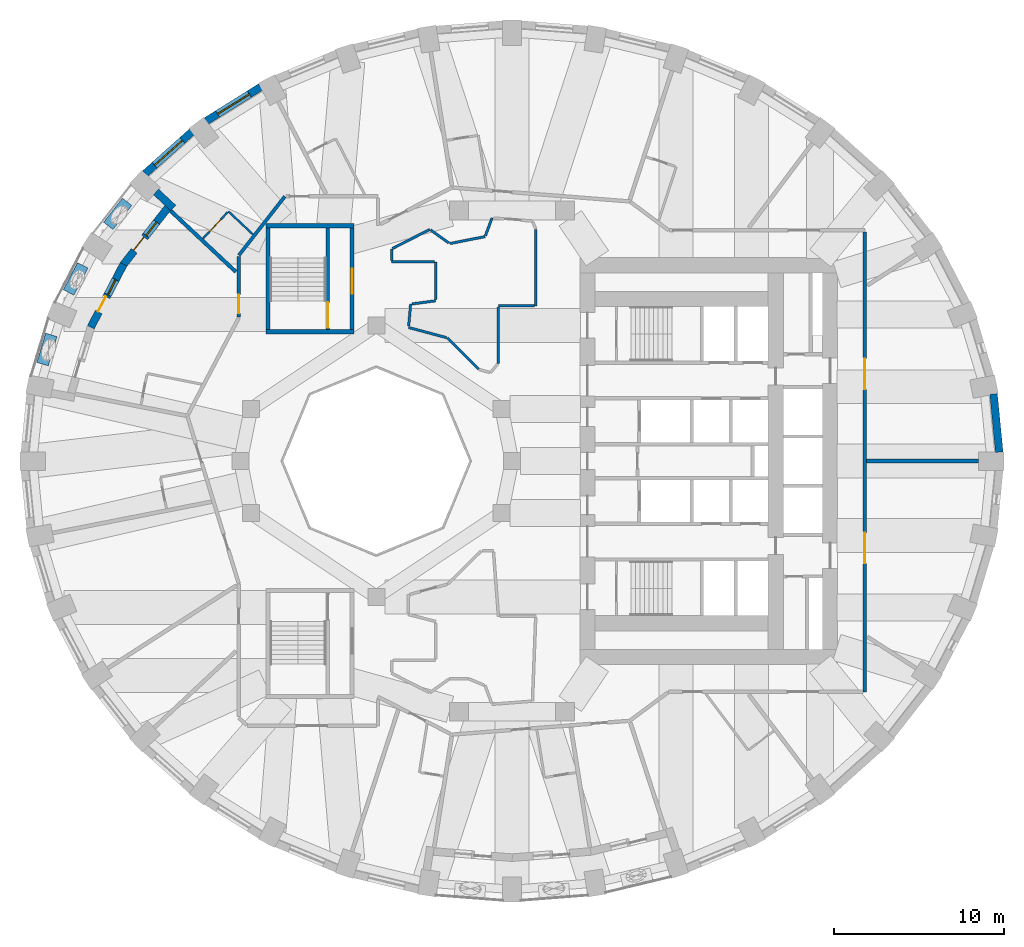
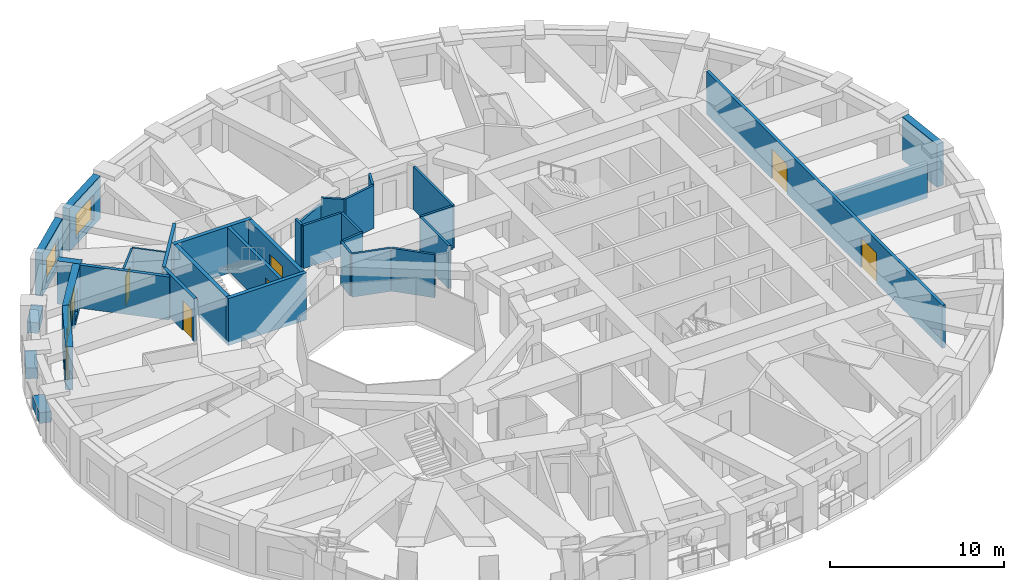
# One storey, part 7 of 13: 35 walls, 8 doors, 4 windows, 12 openings.
"""IFC4 building model written with IfcOpenShell, lengths in metres."""

import ifcopenshell
import ifcopenshell.guid

model = None  # the IFC model being written
_history = None  # IfcOwnerHistory: only IFC2X3 demands one
_inside = {}  # id of a spatial element -> (the spatial element, [elements in it])
_under = {}  # id of a project, library or spatial element -> (it, [spatial elements below it])
_declared = {}  # id of a project -> (the project, [libraries it declares])
_typed = {}  # id of a type object -> (the type object, [elements of that type])
_made_of = {}  # id of a material, layer set ... -> (it, [elements and type objects made of it])


def new_model(schema):
    """Start an empty IFC model of exactly this schema.

    Asked for "IFC4X3", IfcOpenShell would pick the latest addendum, in which some entities
    have other attributes; the version numbers below select the first issue.
    IFC2X3 requires an IfcOwnerHistory on every rooted entity: one is made here for all.
    """
    global model, _history
    if schema == "IFC4X3":
        model = ifcopenshell.file(schema_version=(4, 3, 0, 0))
    else:
        model = ifcopenshell.file(schema=schema)
    _inside.clear()
    _under.clear()
    _declared.clear()
    _typed.clear()
    _made_of.clear()
    _history = None
    if model.schema == "IFC2X3":
        org = make("IfcOrganization", Name="unknown")
        user = make(
            "IfcPersonAndOrganization",
            ThePerson=make("IfcPerson", FamilyName="unknown"),
            TheOrganization=org,
        )
        app = make(
            "IfcApplication",
            ApplicationDeveloper=org,
            Version="unknown",
            ApplicationFullName="unknown",
            ApplicationIdentifier="unknown",
        )
        _history = make(
            "IfcOwnerHistory",
            OwningUser=user,
            OwningApplication=app,
            ChangeAction="ADDED",
            CreationDate=0,
        )
    return model


def make(cls, **values):
    """One entity of the class cls with the attributes given. An attribute that is None is left unset."""
    return model.create_entity(
        cls, **{name: value for name, value in values.items() if value is not None}
    )


def rooted(cls, **values):
    """An entity with a GlobalId (a new one), such as an element, a storey or a relation."""
    return make(cls, GlobalId=ifcopenshell.guid.new(), OwnerHistory=_history, **values)


def si_unit(unit_type, name, prefix=None):
    """IfcSIUnit, for example si_unit("LENGTHUNIT", "METRE", prefix="MILLI")."""
    return make("IfcSIUnit", UnitType=unit_type, Prefix=prefix, Name=name)


def assignment(units):
    """IfcUnitAssignment: the units of a project."""
    return None if units is None else make("IfcUnitAssignment", Units=units)


def point(xyz):
    """IfcCartesianPoint."""
    return None if xyz is None else make("IfcCartesianPoint", Coordinates=xyz)


def direction(xyz):
    """IfcDirection."""
    return None if xyz is None else make("IfcDirection", DirectionRatios=xyz)


def frame(location, z_axis=None, x_axis=None):
    """IfcAxis2Placement3D, a coordinate frame: its origin and axes. An axis left out is left unset."""
    return make(
        "IfcAxis2Placement3D",
        Location=point(location),
        Axis=direction(z_axis),
        RefDirection=direction(x_axis),
    )


def frame_2d(location, x_axis=None):
    """IfcAxis2Placement2D, a coordinate frame in the plane: its origin and x axis."""
    return make(
        "IfcAxis2Placement2D", Location=point(location), RefDirection=direction(x_axis)
    )


def origin():
    """The frame at (0, 0, 0) with its axes left unset."""
    return frame((0.0, 0.0, 0.0))


def place(relative_to, where):
    """IfcLocalPlacement: puts the frame where relative to a parent placement (None: the world)."""
    return make(
        "IfcLocalPlacement", PlacementRelTo=relative_to, RelativePlacement=where
    )


def context(
    kind, dimensions, precision=None, world=None, true_north=None, identifier=None
):
    """IfcGeometricRepresentationContext, for example the 3D "Model" context."""
    return make(
        "IfcGeometricRepresentationContext",
        ContextIdentifier=identifier,
        ContextType=kind,
        CoordinateSpaceDimension=dimensions,
        Precision=precision,
        WorldCoordinateSystem=world,
        TrueNorth=true_north,
    )


def subcontext(parent, identifier, kind, view, scale=None):
    """IfcGeometricRepresentationSubContext, for example "Body" below "Model"."""
    return make(
        "IfcGeometricRepresentationSubContext",
        ContextIdentifier=identifier,
        ContextType=kind,
        ParentContext=parent,
        TargetScale=scale,
        TargetView=view,
    )


def project(units=None, contexts=None):
    """IfcProject with its units and contexts."""
    return rooted(
        "IfcProject",
        Name="project",
        RepresentationContexts=contexts,
        UnitsInContext=assignment(units),
    )


def spatial(cls, under=None, at=None, **own):
    """A site, building, storey or space (cls), placed at a placement, below another one or the project."""
    s = rooted(cls, ObjectPlacement=at, **own)
    if under is not None:
        _under.setdefault(under.id(), (under, []))[1].append(s)
    return s


def profile(cls, at=None, kind="AREA", **sizes):
    """A parametric profile (cls). Its sizes go by their IFC names, for example OverallWidth=200.0."""
    return make(cls, ProfileType=kind, Position=at, **sizes)


def rectangle(**sizes):
    """IfcRectangleProfileDef."""
    return profile("IfcRectangleProfileDef", **sizes)


def extrude(swept, where, along, depth):
    """IfcExtrudedAreaSolid: the profile swept, set in the frame where, extruded along a direction by depth."""
    return make(
        "IfcExtrudedAreaSolid",
        SweptArea=swept,
        Position=where,
        ExtrudedDirection=direction(along),
        Depth=depth,
    )


def shape(context_of_items, identifier, shape_type, items):
    """IfcShapeRepresentation: the items that make up one representation, for example the "Body"."""
    return make(
        "IfcShapeRepresentation",
        ContextOfItems=context_of_items,
        RepresentationIdentifier=identifier,
        RepresentationType=shape_type,
        Items=items,
    )


def material(Name=None, Category=None):
    """IfcMaterial."""
    return make("IfcMaterial", Name=Name, Category=Category)


def layer(
    of_material, thickness, ventilated=None, Name=None, Category=None, Priority=None
):
    """IfcMaterialLayer: one layer of a wall or slab, of a material (None: an air gap)."""
    return make(
        "IfcMaterialLayer",
        Material=of_material,
        LayerThickness=thickness,
        IsVentilated=ventilated,
        Name=Name,
        Category=Category,
        Priority=Priority,
    )


def layer_set(layers, Name=None):
    """IfcMaterialLayerSet."""
    return make("IfcMaterialLayerSet", MaterialLayers=layers, LayerSetName=Name)


def constituent(of_material, Name=None, Category=None, fraction=None):
    """IfcMaterialConstituent: one of the materials an element consists of."""
    return make(
        "IfcMaterialConstituent",
        Name=Name,
        Material=of_material,
        Fraction=fraction,
        Category=Category,
    )


def constituent_set(constituents=None, Name=None):
    """IfcMaterialConstituentSet."""
    return make(
        "IfcMaterialConstituentSet", Name=Name, MaterialConstituents=constituents
    )


def made_of(thing, what):
    """Note that an element or type object is made of a material, layer set ...; save() writes the relation."""
    if what is not None:
        _made_of.setdefault(what.id(), (what, []))[1].append(thing)
    return thing


def type_object(cls, material=None, **own):
    """A type object (cls), such as IfcWallType, which elements share."""
    return made_of(rooted(cls, **own), material)


def element(
    cls,
    number,
    at=None,
    inside=None,
    cuts=None,
    type_object=None,
    material=None,
    context=None,
    identifier="Body",
    shape_type=None,
    held_by="IfcProductDefinitionShape",
    body=None,
    shapes=None,
    **own,
):
    """One element of the class cls, such as IfcWall. Its Tag is "e" and its number.

    at: its placement. inside: the storey or other place that contains it. cuts: it is an
    opening in that element (IfcRelVoidsElement). A single representation is given by context,
    identifier, shape_type and body (its items); several are given by shapes. held_by: the class
    of the entity that holds the representations. save() writes the other relations.
    """
    e = rooted(cls, Tag="e%d" % number, ObjectPlacement=at, **own)
    if body is not None:
        shapes = [shape(context, identifier, shape_type, body)]
    if shapes is not None:
        e.Representation = make(held_by, Representations=shapes)
    if inside is not None:
        _inside.setdefault(inside.id(), (inside, []))[1].append(e)
    if cuts is not None:
        rooted(
            "IfcRelVoidsElement", RelatingBuildingElement=cuts, RelatedOpeningElement=e
        )
    if type_object is not None:
        _typed.setdefault(type_object.id(), (type_object, []))[1].append(e)
    return made_of(e, material)


def fill(opening, filler):
    """IfcRelFillsElement: the door or window that sits in an opening."""
    return rooted(
        "IfcRelFillsElement",
        RelatingOpeningElement=opening,
        RelatedBuildingElement=filler,
    )


def aggregate(whole, parts):
    """IfcRelAggregates: a whole, such as a stair, and the parts it consists of."""
    return rooted("IfcRelAggregates", RelatingObject=whole, RelatedObjects=parts)


def save(model, path):
    """Write the relations noted so far, then the file.

    IfcRelAggregates (storeys below a building ...), IfcRelContainedInSpatialStructure (elements
    in a storey), IfcRelDefinesByType, IfcRelAssociatesMaterial and IfcRelDeclares: one each for
    every whole, place, type object, material and project.
    """
    for whole, parts in _under.values():
        aggregate(whole, parts)
    for where, things in _inside.values():
        rooted(
            "IfcRelContainedInSpatialStructure",
            RelatedElements=things,
            RelatingStructure=where,
        )
    for kind, things in _typed.values():
        rooted("IfcRelDefinesByType", RelatedObjects=things, RelatingType=kind)
    for what, things in _made_of.values():
        rooted("IfcRelAssociatesMaterial", RelatedObjects=things, RelatingMaterial=what)
    for by, libraries in _declared.values():
        rooted("IfcRelDeclares", RelatingContext=by, RelatedDefinitions=libraries)
    model.write(path)


model = new_model("IFC4")

# Units and contexts
model_context = context("Model", 3, precision=1e-05, world=origin(), true_north=direction((0.0, 1.0)))
body_context = subcontext(model_context, "Body", "Model", "MODEL_VIEW")
ifc_project = project(units=[si_unit("LENGTHUNIT", "METRE"), si_unit("AREAUNIT", "SQUARE_METRE"), si_unit("VOLUMEUNIT", "CUBIC_METRE"), si_unit("PLANEANGLEUNIT", "RADIAN"), si_unit("MASSUNIT", "GRAM", prefix="KILO")], contexts=[model_context])

# Site, building, storey
site_placement = place(None, origin())
site = spatial("IfcSite", under=ifc_project, at=site_placement, CompositionType="ELEMENT")
building_placement = place(site_placement, origin())
building = spatial("IfcBuilding", under=site, at=building_placement, Name="Taillehof Tower", CompositionType="ELEMENT")
storey_placement = place(building_placement, frame((0.0, 0.0, 38.199951171875)))
storey = spatial("IfcBuildingStorey", under=building, at=storey_placement, Name="L09", CompositionType="ELEMENT", Elevation=38.199951171875)

# Wall
ifc_material_1 = material(Name="Brick masonry", Category="masonry")
ifc_layer_1 = layer(ifc_material_1, 0.449951171875)
ifc_layer_set_1 = layer_set([ifc_layer_1], Name="Brick infill wall 450")
wall_type_1 = type_object("IfcWallType", Name="Brick infill wall 450", PredefinedType="SOLIDWALL", material=ifc_layer_set_1)
wall_1_placement = place(storey_placement, frame((28.721923828125, 0.530029296875, 0.0), z_axis=(0.0, 0.0, 1.0), x_axis=(-0.097389581596, 0.995246336038, 0.0)))
element("IfcWall", 1, at=wall_1_placement, inside=storey, type_object=wall_type_1, Name="Brick wall L09 bay 1", PredefinedType="SOLIDWALL", context=body_context, shape_type="SweptSolid", body=[
    extrude(rectangle(XDim=3.44189453125, YDim=0.449951171875, at=frame_2d((1.720947265625, 0.0))), origin(), (0.0, 0.0, 1.0), 3.02001953125),
])

# Wall, opening, window
wall_2_placement = place(storey_placement, frame((-14.81689453125, 22.050537109375, 0.0), z_axis=(0.0, 0.0, 1.0), x_axis=(-0.847635480093, -0.530579016629, 0.0)))
wall_2 = element("IfcWall", 2, at=wall_2_placement, inside=storey, type_object=wall_type_1, Name="Brick wall L09 bay 13", PredefinedType="SOLIDWALL", context=body_context, shape_type="SweptSolid", body=[
    extrude(rectangle(XDim=3.782470703125, YDim=0.449951171875, at=frame_2d((1.89111328125, 0.0))), origin(), (0.0, 0.0, 1.0), 3.02001953125),
])
opening_1_placement = place(wall_2_placement, frame((0.791259765625, 0.0, 0.39990234375)))
opening_1 = element("IfcOpeningElement", 3, at=opening_1_placement, cuts=wall_2, Name="Opening W1", PredefinedType="OPENING", context=body_context, shape_type="SweptSolid", body=[
    extrude(rectangle(XDim=2.199951171875, YDim=1.75, at=frame_2d((1.10009765625, 0.875))), frame((0.0, 0.23486328125, 0.0), z_axis=(0.0, -1.0, 0.0), x_axis=(1.0, 0.0, 0.0)), (0.0, 0.0, 1.0), 0.469970703125),
])
ifc_material_2 = material(Name="Aluminium window frame with clear double glazing", Category="aluminium")
window_type_1 = type_object("IfcWindowType", Name="Deep-set window 2200x1750", PartitioningType="SINGLE_PANEL", PredefinedType="WINDOW", material=ifc_material_2)
window_1_placement = place(opening_1_placement, origin())
window_1 = element("IfcWindow", 4, at=window_1_placement, inside=storey, type_object=window_type_1, Name="W1", OverallHeight=1.75, OverallWidth=2.199951171875, PartitioningType="SINGLE_PANEL", PredefinedType="WINDOW", context=body_context, shape_type="SweptSolid", body=[
    extrude(rectangle(XDim=2.199951171875, YDim=1.75, at=frame_2d((1.10009765625, 0.875))), frame((0.0, 0.034912109375, 0.0), z_axis=(0.0, -1.0, 0.0), x_axis=(1.0, 0.0, 0.0)), (0.0, 0.0, 1.0), 0.06005859375),
])
fill(opening_1, window_1)

wall_3_placement = place(storey_placement, frame((-18.87060546875, 19.406982421875, 0.0), z_axis=(0.0, 0.0, 1.0), x_axis=(-0.745526233716, -0.66647628228, 0.0)))
wall_3 = element("IfcWall", 5, at=wall_3_placement, inside=storey, type_object=wall_type_1, Name="Brick wall L09 bay 14", PredefinedType="SOLIDWALL", context=body_context, shape_type="SweptSolid", body=[
    extrude(rectangle(XDim=3.69677734375, YDim=0.449951171875, at=frame_2d((1.848388671875, 0.0))), origin(), (0.0, 0.0, 1.0), 3.02001953125),
])
opening_2_placement = place(wall_3_placement, frame((0.74853515625, 0.0, 0.39990234375)))
opening_2 = element("IfcOpeningElement", 6, at=opening_2_placement, cuts=wall_3, Name="Opening W1", PredefinedType="OPENING", context=body_context, shape_type="SweptSolid", body=[
    extrude(rectangle(XDim=2.199951171875, YDim=1.75, at=frame_2d((1.10009765625, 0.875))), frame((0.0, 0.23486328125, 0.0), z_axis=(0.0, -1.0, 0.0), x_axis=(1.0, 0.0, 0.0)), (0.0, 0.0, 1.0), 0.469970703125),
])
window_2_placement = place(opening_2_placement, origin())
window_2 = element("IfcWindow", 7, at=window_2_placement, inside=storey, type_object=window_type_1, Name="W1", OverallHeight=1.75, OverallWidth=2.199951171875, PartitioningType="SINGLE_PANEL", PredefinedType="WINDOW", context=body_context, shape_type="SweptSolid", body=[
    extrude(rectangle(XDim=2.199951171875, YDim=1.75, at=frame_2d((1.10009765625, 0.875))), frame((0.0, 0.034912109375, 0.0), z_axis=(0.0, -1.0, 0.0), x_axis=(1.0, 0.0, 0.0)), (0.0, 0.0, 1.0), 0.06005859375),
])
fill(opening_2, window_2)

# Wall
wall_4_placement = place(storey_placement, frame((-20.981689453125, 15.8662109375, 0.0), z_axis=(0.0, 0.0, 1.0), x_axis=(0.730062381614, -0.683380508174, 0.0)))
element("IfcWall", 8, at=wall_4_placement, inside=storey, type_object=wall_type_1, Name="Brick reveal L09 pocket 4", PredefinedType="SOLIDWALL", context=body_context, shape_type="SweptSolid", body=[
    extrude(rectangle(XDim=1.39111328125, YDim=0.449951171875, at=frame_2d((0.695556640625, 0.0))), origin(), (0.0, 0.0, 1.0), 3.02001953125),
])

# Wall, openings, door, window
wall_5_placement = place(storey_placement, frame((-20.298095703125, 14.918212890625, 0.0), z_axis=(0.0, 0.0, 1.0), x_axis=(-0.615578403957, -0.788075649022, 0.0)))
wall_5 = element("IfcWall", 9, at=wall_5_placement, inside=storey, type_object=wall_type_1, Name="Brick wall L09 pocket bay 15", PredefinedType="SOLIDWALL", context=body_context, shape_type="SweptSolid", body=[
    extrude(rectangle(XDim=4.2587890625, YDim=0.449951171875, at=frame_2d((2.12939453125, 0.0))), origin(), (0.0, 0.0, 1.0), 3.02001953125),
])
opening_3_placement = place(wall_5_placement, frame((1.05419921875, 0.0, 0.39990234375)))
opening_3 = element("IfcOpeningElement", 10, at=opening_3_placement, cuts=wall_5, Name="Opening W5", PredefinedType="OPENING", context=body_context, shape_type="SweptSolid", body=[
    extrude(rectangle(XDim=1.0, YDim=1.75, at=frame_2d((0.5, 0.875))), frame((0.0, 0.23486328125, 0.0), z_axis=(0.0, -1.0, 0.0), x_axis=(1.0, 0.0, 0.0)), (0.0, 0.0, 1.0), 0.469970703125),
])
opening_4_placement = place(wall_5_placement, frame((2.204345703125, 0.0, 0.0)))
opening_4 = element("IfcOpeningElement", 11, at=opening_4_placement, cuts=wall_5, Name="Opening D0991", PredefinedType="OPENING", context=body_context, shape_type="SweptSolid", body=[
    extrude(rectangle(XDim=1.0, YDim=2.14990234375, at=frame_2d((0.5, 1.074951171875))), frame((0.0, 0.23486328125, 0.0), z_axis=(0.0, -1.0, 0.0), x_axis=(1.0, 0.0, 0.0)), (0.0, 0.0, 1.0), 0.469970703125),
])
ifc_material_3 = material(Name="Aluminium door frame with clear double glazing", Category="aluminium")
door_type_1 = type_object("IfcDoorType", Name="Balcony door 1000x2150", OperationType="SINGLE_SWING_RIGHT", PredefinedType="DOOR", material=ifc_material_3)
door_1_placement = place(opening_4_placement, frame((1.0, 0.0, 0.0), z_axis=(0.0, 0.0, 1.0), x_axis=(-1.0, 0.0, 0.0)))
door_1 = element("IfcDoor", 12, at=door_1_placement, inside=storey, type_object=door_type_1, Name="Balcony door L09 bay 15", OperationType="SINGLE_SWING_RIGHT", OverallHeight=2.14990234375, OverallWidth=1.0, PredefinedType="DOOR", context=body_context, shape_type="SweptSolid", body=[
    extrude(rectangle(XDim=1.0, YDim=2.14990234375, at=frame_2d((0.5, 1.074951171875))), frame((0.0, 0.0751953125, 0.0), z_axis=(0.0, -1.0, 0.0), x_axis=(1.0, 0.0, 0.0)), (0.0, 0.0, 1.0), 0.050048828125),
])
fill(opening_4, door_1)
ifc_material_4 = material(Name="Aluminium window frame with clear double glazing", Category="aluminium")
window_type_2 = type_object("IfcWindowType", Name="Fixed window 1000x1750", PartitioningType="SINGLE_PANEL", PredefinedType="WINDOW", material=ifc_material_4)
window_3_placement = place(opening_3_placement, origin())
window_3 = element("IfcWindow", 13, at=window_3_placement, inside=storey, type_object=window_type_2, Name="W5", OverallHeight=1.75, OverallWidth=1.0, PartitioningType="SINGLE_PANEL", PredefinedType="WINDOW", context=body_context, shape_type="SweptSolid", body=[
    extrude(rectangle(XDim=1.0, YDim=1.75, at=frame_2d((0.5, 0.875))), frame((0.0, 0.034912109375, 0.0), z_axis=(0.0, -1.0, 0.0), x_axis=(1.0, 0.0, 0.0)), (0.0, 0.0, 1.0), 0.06005859375),
])
fill(opening_3, window_3)

wall_6_placement = place(storey_placement, frame((-22.897216796875, 11.5966796875, 0.0), z_axis=(0.0, 0.0, 1.0), x_axis=(-0.461514453451, -0.887132689769, 0.0)))
wall_6 = element("IfcWall", 14, at=wall_6_placement, inside=storey, type_object=wall_type_1, Name="Brick wall L09 pocket bay 16", PredefinedType="SOLIDWALL", context=body_context, shape_type="SweptSolid", body=[
    extrude(rectangle(XDim=4.182861328125, YDim=0.449951171875, at=frame_2d((2.09130859375, 0.0))), origin(), (0.0, 0.0, 1.0), 3.02001953125),
])
opening_5_placement = place(wall_6_placement, frame((1.016357421875, 0.0, 0.39990234375)))
opening_5 = element("IfcOpeningElement", 15, at=opening_5_placement, cuts=wall_6, Name="Opening W5", PredefinedType="OPENING", context=body_context, shape_type="SweptSolid", body=[
    extrude(rectangle(XDim=1.0, YDim=1.75, at=frame_2d((0.5, 0.875))), frame((0.0, 0.23486328125, 0.0), z_axis=(0.0, -1.0, 0.0), x_axis=(1.0, 0.0, 0.0)), (0.0, 0.0, 1.0), 0.469970703125),
])
opening_6_placement = place(wall_6_placement, frame((2.16650390625, 0.0, 0.0)))
opening_6 = element("IfcOpeningElement", 16, at=opening_6_placement, cuts=wall_6, Name="Opening D0992", PredefinedType="OPENING", context=body_context, shape_type="SweptSolid", body=[
    extrude(rectangle(XDim=1.0, YDim=2.14990234375, at=frame_2d((0.5, 1.074951171875))), frame((0.0, 0.23486328125, 0.0), z_axis=(0.0, -1.0, 0.0), x_axis=(1.0, 0.0, 0.0)), (0.0, 0.0, 1.0), 0.469970703125),
])
door_2_placement = place(opening_6_placement, frame((1.0, 0.0, 0.0), z_axis=(0.0, 0.0, 1.0), x_axis=(-1.0, 0.0, 0.0)))
door_2 = element("IfcDoor", 17, at=door_2_placement, inside=storey, type_object=door_type_1, Name="Balcony door L09 bay 16", OperationType="SINGLE_SWING_LEFT", OverallHeight=2.14990234375, OverallWidth=1.0, PredefinedType="DOOR", context=body_context, shape_type="SweptSolid", body=[
    extrude(rectangle(XDim=1.0, YDim=2.14990234375, at=frame_2d((0.5, 1.074951171875))), frame((0.0, 0.0751953125, 0.0), z_axis=(0.0, -1.0, 0.0), x_axis=(1.0, 0.0, 0.0)), (0.0, 0.0, 1.0), 0.050048828125),
])
fill(opening_6, door_2)
window_4_placement = place(opening_5_placement, origin())
window_4 = element("IfcWindow", 18, at=window_4_placement, inside=storey, type_object=window_type_2, Name="W5", OverallHeight=1.75, OverallWidth=1.0, PartitioningType="SINGLE_PANEL", PredefinedType="WINDOW", context=body_context, shape_type="SweptSolid", body=[
    extrude(rectangle(XDim=1.0, YDim=1.75, at=frame_2d((0.5, 0.875))), frame((0.0, 0.034912109375, 0.0), z_axis=(0.0, -1.0, 0.0), x_axis=(1.0, 0.0, 0.0)), (0.0, 0.0, 1.0), 0.06005859375),
])
fill(opening_5, window_4)

# Wall
ifc_material_5 = material(Name="Gypsum board on steel studs, two layers each side", Category="steel")
ifc_layer_2 = layer(ifc_material_5, 0.199951171875)
ifc_layer_set_2 = layer_set([ifc_layer_2], Name="Compartment wall corridor 200")
wall_type_2 = type_object("IfcWallType", Name="Compartment wall corridor 200", PredefinedType="PARTITIONING", material=ifc_layer_set_2)
wall_7_placement = place(storey_placement, frame((-16.10009765625, 12.129638671875, 0.0), z_axis=(0.0, 0.0, 1.0), x_axis=(0.615593476668, 0.788063875256, 0.0)))
element("IfcWall", 19, at=wall_7_placement, inside=storey, type_object=wall_type_2, Name="Compartment wall", PredefinedType="PARTITIONING", context=body_context, shape_type="SweptSolid", body=[
    extrude(rectangle(XDim=4.40380859375, YDim=0.199951171875, at=frame_2d((2.201904296875, 0.0))), origin(), (0.0, 0.0, 1.0), 3.02001953125),
])

# Wall, openings, doors
wall_8_placement = place(storey_placement, frame((20.800048828125, 13.5, 0.0), z_axis=(0.0, 0.0, 1.0), x_axis=(0.0, -1.0, 0.0)))
wall_8 = element("IfcWall", 20, at=wall_8_placement, inside=storey, type_object=wall_type_2, Name="Compartment wall", PredefinedType="PARTITIONING", context=body_context, shape_type="SweptSolid", body=[
    extrude(rectangle(XDim=27.10009765625, YDim=0.199951171875, at=frame_2d((13.550048828125, 0.0))), origin(), (0.0, 0.0, 1.0), 3.02001953125),
])
opening_7_placement = place(wall_8_placement, frame((17.733154296875, 0.0, 0.0)))
opening_7 = element("IfcOpeningElement", 21, at=opening_7_placement, cuts=wall_8, Name="Opening D0963", PredefinedType="OPENING", context=body_context, shape_type="SweptSolid", body=[
    extrude(rectangle(XDim=1.800048828125, YDim=2.10009765625, at=frame_2d((0.89990234375, 1.050048828125))), frame((0.0, 0.10986328125, 0.0), z_axis=(0.0, -1.0, 0.0), x_axis=(1.0, 0.0, 0.0)), (0.0, 0.0, 1.0), 0.219970703125),
])
opening_8_placement = place(wall_8_placement, frame((7.466796875, 0.0, 0.0)))
opening_8 = element("IfcOpeningElement", 22, at=opening_8_placement, cuts=wall_8, Name="Opening D0964", PredefinedType="OPENING", context=body_context, shape_type="SweptSolid", body=[
    extrude(rectangle(XDim=1.800048828125, YDim=2.10009765625, at=frame_2d((0.89990234375, 1.050048828125))), frame((0.0, 0.10986328125, 0.0), z_axis=(0.0, -1.0, 0.0), x_axis=(1.0, 0.0, 0.0)), (0.0, 0.0, 1.0), 0.219970703125),
])
ifc_material_6 = material(Name="Timber door leaf in steel frame", Category="steel")
door_type_2 = type_object("IfcDoorType", Name="Lounge and meeting room double door EI 30 1800 x 2100", OperationType="SINGLE_SWING_LEFT", PredefinedType="DOOR", material=ifc_material_6)
door_3_placement = place(opening_7_placement, origin())
door_3 = element("IfcDoor", 23, at=door_3_placement, inside=storey, type_object=door_type_2, Name="D0963", OperationType="DOUBLE_DOOR_SINGLE_SWING", OverallHeight=2.10009765625, OverallWidth=1.800048828125, PredefinedType="DOOR", context=body_context, shape_type="SweptSolid", body=[
    extrude(rectangle(XDim=1.800048828125, YDim=2.10009765625, at=frame_2d((0.89990234375, 1.050048828125))), frame((0.0, 0.02490234375, 0.0), z_axis=(0.0, -1.0, 0.0), x_axis=(1.0, 0.0, 0.0)), (0.0, 0.0, 1.0), 0.050048828125),
])
fill(opening_7, door_3)
door_4_placement = place(opening_8_placement, origin())
door_4 = element("IfcDoor", 24, at=door_4_placement, inside=storey, type_object=door_type_2, Name="D0964", OperationType="DOUBLE_DOOR_SINGLE_SWING", OverallHeight=2.10009765625, OverallWidth=1.800048828125, PredefinedType="DOOR", context=body_context, shape_type="SweptSolid", body=[
    extrude(rectangle(XDim=1.800048828125, YDim=2.10009765625, at=frame_2d((0.89990234375, 1.050048828125))), frame((0.0, 0.02490234375, 0.0), z_axis=(0.0, -1.0, 0.0), x_axis=(1.0, 0.0, 0.0)), (0.0, 0.0, 1.0), 0.050048828125),
])
fill(opening_8, door_4)

# Wall, opening, door
wall_9_placement = place(storey_placement, frame((-16.10009765625, 8.49072265625, 0.0), z_axis=(0.0, 0.0, 1.0), x_axis=(0.0, 1.0, 0.0)))
wall_9 = element("IfcWall", 25, at=wall_9_placement, inside=storey, type_object=wall_type_2, Name="Compartment wall", PredefinedType="PARTITIONING", context=body_context, shape_type="SweptSolid", body=[
    extrude(rectangle(XDim=3.578857421875, YDim=0.199951171875, at=frame_2d((1.78955078125, 0.0))), origin(), (0.0, 0.0, 1.0), 3.02001953125),
])
opening_9_placement = place(wall_9_placement, frame((0.219970703125, 0.0, 0.0)))
opening_9 = element("IfcOpeningElement", 26, at=opening_9_placement, cuts=wall_9, Name="Opening D0948", PredefinedType="OPENING", context=body_context, shape_type="SweptSolid", body=[
    extrude(rectangle(XDim=1.10009765625, YDim=2.10009765625, at=frame_2d((0.550048828125, 1.050048828125))), frame((0.0, 0.10986328125, 0.0), z_axis=(0.0, -1.0, 0.0), x_axis=(1.0, 0.0, 0.0)), (0.0, 0.0, 1.0), 0.219970703125),
])
ifc_material_7 = material(Name="Timber door leaf in steel frame", Category="steel")
door_type_3 = type_object("IfcDoorType", Name="Suite entrance door EI 30 1100 x 2100", OperationType="SINGLE_SWING_LEFT", PredefinedType="DOOR", material=ifc_material_7)
door_5_placement = place(opening_9_placement, origin())
door_5 = element("IfcDoor", 27, at=door_5_placement, inside=storey, type_object=door_type_3, Name="D0948", OperationType="SINGLE_SWING_LEFT", OverallHeight=2.10009765625, OverallWidth=1.10009765625, PredefinedType="DOOR", context=body_context, shape_type="SweptSolid", body=[
    extrude(rectangle(XDim=1.10009765625, YDim=2.10009765625, at=frame_2d((0.550048828125, 1.050048828125))), frame((0.0, 0.02490234375, 0.0), z_axis=(0.0, -1.0, 0.0), x_axis=(1.0, 0.0, 0.0)), (0.0, 0.0, 1.0), 0.050048828125),
])
fill(opening_9, door_5)

# Walls
ifc_material_8 = material(Name="Gypsum board on double steel studs with mineral wool", Category="steel")
ifc_layer_3 = layer(ifc_material_8, 0.219970703125)
ifc_layer_set_3 = layer_set([ifc_layer_3], Name="Compartment wall guest room 220")
wall_type_3 = type_object("IfcWallType", Name="Compartment wall guest room 220", PredefinedType="PARTITIONING", material=ifc_layer_set_3)
wall_10_placement = place(storey_placement, frame((27.5, 0.0, 0.0), z_axis=(0.0, 0.0, 1.0), x_axis=(-1.0, 0.0, 0.0)))
element("IfcWall", 28, at=wall_10_placement, inside=storey, type_object=wall_type_3, Name="Compartment wall", PredefinedType="PARTITIONING", context=body_context, shape_type="SweptSolid", body=[
    extrude(rectangle(XDim=6.599853515625, YDim=0.219970703125, at=frame_2d((3.2998046875, 0.0))), origin(), (0.0, 0.0, 1.0), 2.469970703125),
])
wall_11_placement = place(storey_placement, frame((-20.133056640625, 14.763671875, 0.0), z_axis=(0.0, 0.0, 1.0), x_axis=(0.730065516357, -0.68337715928, 0.0)))
element("IfcWall", 29, at=wall_11_placement, inside=storey, type_object=wall_type_3, Name="Compartment wall", PredefinedType="PARTITIONING", context=body_context, shape_type="SweptSolid", body=[
    extrude(rectangle(XDim=5.28662109375, YDim=0.219970703125, at=frame_2d((2.643310546875, 0.0))), origin(), (0.0, 0.0, 1.0), 3.02001953125),
])
ifc_material_9 = material(Name="Gypsum board on steel studs, two layers each side", Category="steel")
ifc_layer_4 = layer(ifc_material_9, 0.14990234375)
ifc_layer_set_4 = layer_set([ifc_layer_4], Name="Compartment wall service room 150")
wall_type_4 = type_object("IfcWallType", Name="Compartment wall service room 150", PredefinedType="PARTITIONING", material=ifc_layer_set_4)
wall_12_placement = place(storey_placement, frame((-3.67578125, 12.822021484375, 0.0), z_axis=(0.0, 0.0, 1.0), x_axis=(0.981284032016, 0.192565958858, 0.0)))
element("IfcWall", 30, at=wall_12_placement, inside=storey, type_object=wall_type_4, Name="Compartment wall", PredefinedType="PARTITIONING", context=body_context, shape_type="SweptSolid", body=[
    extrude(rectangle(XDim=2.1298828125, YDim=0.14990234375, at=frame_2d((1.06494140625, 0.0))), origin(), (0.0, 0.0, 1.0), 3.02001953125),
])
wall_13_placement = place(storey_placement, frame((-1.564453125, 13.28857421875, 0.0), z_axis=(0.0, 0.0, 1.0), x_axis=(0.348554808131, 0.937288400509, 0.0)))
element("IfcWall", 31, at=wall_13_placement, inside=storey, type_object=wall_type_4, Name="Compartment wall", PredefinedType="PARTITIONING", context=body_context, shape_type="SweptSolid", body=[
    extrude(rectangle(XDim=1.114990234375, YDim=0.14990234375, at=frame_2d((0.5576171875, 0.0))), origin(), (0.0, 0.0, 1.0), 3.02001953125),
])
wall_14_placement = place(storey_placement, frame((1.39990234375, 13.66064453125, 0.0), z_axis=(0.0, 0.0, 1.0), x_axis=(0.0, -1.0, 0.0)))
element("IfcWall", 32, at=wall_14_placement, inside=storey, type_object=wall_type_4, Name="Compartment wall", PredefinedType="PARTITIONING", context=body_context, shape_type="SweptSolid", body=[
    extrude(rectangle(XDim=4.5107421875, YDim=0.14990234375, at=frame_2d((2.25537109375, 0.0))), origin(), (0.0, 0.0, 1.0), 3.02001953125),
])
wall_15_placement = place(storey_placement, frame((1.31982421875, 9.14990234375, 0.0), z_axis=(0.0, 0.0, 1.0), x_axis=(-1.0, 0.0, 0.0)))
element("IfcWall", 33, at=wall_15_placement, inside=storey, type_object=wall_type_4, Name="Compartment wall", PredefinedType="PARTITIONING", context=body_context, shape_type="SweptSolid", body=[
    extrude(rectangle(XDim=2.119873046875, YDim=0.14990234375, at=frame_2d((1.06005859375, 0.0))), origin(), (0.0, 0.0, 1.0), 3.02001953125),
])
wall_16_placement = place(storey_placement, frame((-0.800048828125, 9.06982421875, 0.0), z_axis=(0.0, 0.0, 1.0), x_axis=(-0.003911409193, -0.99999235041, 0.0)))
element("IfcWall", 34, at=wall_16_placement, inside=storey, type_object=wall_type_4, Name="Compartment wall", PredefinedType="PARTITIONING", context=body_context, shape_type="SweptSolid", body=[
    extrude(rectangle(XDim=3.30810546875, YDim=0.14990234375, at=frame_2d((1.654052734375, 0.0))), origin(), (0.0, 0.0, 1.0), 3.02001953125),
])
wall_17_placement = place(storey_placement, frame((-1.973388671875, 5.428466796875, 0.0), z_axis=(0.0, 0.0, 1.0), x_axis=(-0.707106781187, 0.707106781187, 0.0)))
element("IfcWall", 35, at=wall_17_placement, inside=storey, type_object=wall_type_4, Name="Compartment wall", PredefinedType="PARTITIONING", context=body_context, shape_type="SweptSolid", body=[
    extrude(rectangle(XDim=2.59326171875, YDim=0.14990234375, at=frame_2d((1.296630859375, 0.0))), origin(), (0.0, 0.0, 1.0), 3.02001953125),
])
wall_18_placement = place(storey_placement, frame((-3.845703125, 7.2724609375, 0.0), z_axis=(0.0, 0.0, 1.0), x_axis=(-0.965906023197, 0.258892939941, 0.0)))
element("IfcWall", 36, at=wall_18_placement, inside=storey, type_object=wall_type_4, Name="Compartment wall", PredefinedType="PARTITIONING", context=body_context, shape_type="SweptSolid", body=[
    extrude(rectangle(XDim=2.333984375, YDim=0.14990234375, at=frame_2d((1.1669921875, 0.0))), origin(), (0.0, 0.0, 1.0), 3.02001953125),
])
wall_19_placement = place(storey_placement, frame((-6.09228515625, 7.956787109375, 0.0), z_axis=(0.0, 0.0, 1.0), x_axis=(0.091567710563, 0.99579885237, 0.0)))
element("IfcWall", 37, at=wall_19_placement, inside=storey, type_object=wall_type_4, Name="Compartment wall", PredefinedType="PARTITIONING", context=body_context, shape_type="SweptSolid", body=[
    extrude(rectangle(XDim=1.301025390625, YDim=0.14990234375, at=frame_2d((0.650390625, 0.0))), origin(), (0.0, 0.0, 1.0), 3.02001953125),
])
wall_20_placement = place(storey_placement, frame((-5.89404296875, 9.26318359375, 0.0), z_axis=(0.0, 0.0, 1.0), x_axis=(0.991144324173, 0.132789038177, 0.0)))
element("IfcWall", 38, at=wall_20_placement, inside=storey, type_object=wall_type_4, Name="Compartment wall", PredefinedType="PARTITIONING", context=body_context, shape_type="SweptSolid", body=[
    extrude(rectangle(XDim=1.406494140625, YDim=0.14990234375, at=frame_2d((0.703125, 0.0))), origin(), (0.0, 0.0, 1.0), 3.02001953125),
])
wall_21_placement = place(storey_placement, frame((-4.5, 9.530029296875, 0.0), z_axis=(0.0, 0.0, 1.0), x_axis=(0.0, 1.0, 0.0)))
element("IfcWall", 39, at=wall_21_placement, inside=storey, type_object=wall_type_4, Name="Compartment wall", PredefinedType="PARTITIONING", context=body_context, shape_type="SweptSolid", body=[
    extrude(rectangle(XDim=2.219970703125, YDim=0.14990234375, at=frame_2d((1.10986328125, 0.0))), origin(), (0.0, 0.0, 1.0), 3.02001953125),
])
wall_22_placement = place(storey_placement, frame((-4.580078125, 11.75, 0.0), z_axis=(0.0, 0.0, 1.0), x_axis=(-1.0, 0.0, 0.0)))
element("IfcWall", 40, at=wall_22_placement, inside=storey, type_object=wall_type_4, Name="Compartment wall", PredefinedType="PARTITIONING", context=body_context, shape_type="SweptSolid", body=[
    extrude(rectangle(XDim=2.52001953125, YDim=0.14990234375, at=frame_2d((1.260009765625, 0.0))), origin(), (0.0, 0.0, 1.0), 3.02001953125),
])
wall_23_placement = place(storey_placement, frame((-7.10009765625, 11.830078125, 0.0), z_axis=(0.0, 0.0, 1.0), x_axis=(0.0, 1.0, 0.0)))
element("IfcWall", 41, at=wall_23_placement, inside=storey, type_object=wall_type_4, Name="Compartment wall", PredefinedType="PARTITIONING", context=body_context, shape_type="SweptSolid", body=[
    extrude(rectangle(XDim=0.67236328125, YDim=0.14990234375, at=frame_2d((0.336181640625, 0.0))), origin(), (0.0, 0.0, 1.0), 3.02001953125),
])
wall_24_placement = place(storey_placement, frame((-7.046630859375, 12.529541015625, 0.0), z_axis=(0.0, 0.0, 1.0), x_axis=(0.890208185307, 0.455553934032, 0.0)))
element("IfcWall", 42, at=wall_24_placement, inside=storey, type_object=wall_type_4, Name="Compartment wall", PredefinedType="PARTITIONING", context=body_context, shape_type="SweptSolid", body=[
    extrude(rectangle(XDim=2.4765625, YDim=0.14990234375, at=frame_2d((1.23828125, 0.0))), origin(), (0.0, 0.0, 1.0), 2.570068359375),
])
wall_25_placement = place(storey_placement, frame((-4.79296875, 13.62255859375, 0.0), z_axis=(0.0, 0.0, 1.0), x_axis=(0.812853780358, -0.582467794611, 0.0)))
element("IfcWall", 43, at=wall_25_placement, inside=storey, type_object=wall_type_4, Name="Compartment wall", PredefinedType="PARTITIONING", context=body_context, shape_type="SweptSolid", body=[
    extrude(rectangle(XDim=1.31396484375, YDim=0.14990234375, at=frame_2d((0.656982421875, 0.0))), origin(), (0.0, 0.0, 1.0), 3.02001953125),
])
ifc_material_10 = material(Name="Gypsum board on steel studs, moisture resistant", Category="steel")
ifc_layer_5 = layer(ifc_material_10, 0.1201171875)
ifc_layer_set_5 = layer_set([ifc_layer_5], Name="En-suite wall 120")
wall_type_5 = type_object("IfcWallType", Name="En-suite wall 120", PredefinedType="PARTITIONING", material=ifc_layer_set_5)
wall_26_placement = place(storey_placement, frame((-15.2666015625, 13.359130859375, 0.0), z_axis=(0.0, 0.0, 1.0), x_axis=(-0.730103481834, 0.683336597742, 0.0)))
element("IfcWall", 44, at=wall_26_placement, inside=storey, type_object=wall_type_5, Name="En-suite wall", PredefinedType="PARTITIONING", context=body_context, shape_type="SweptSolid", body=[
    extrude(rectangle(XDim=1.989013671875, YDim=0.1201171875, at=frame_2d((0.99462890625, 0.0))), origin(), (0.0, 0.0, 1.0), 3.02001953125),
])

# Wall, opening, door
wall_27_placement = place(storey_placement, frame((-16.759765625, 14.67431640625, 0.0), z_axis=(0.0, 0.0, 1.0), x_axis=(-0.683334594436, -0.730105356813, 0.0)))
wall_27 = element("IfcWall", 45, at=wall_27_placement, inside=storey, type_object=wall_type_5, Name="En-suite wall", PredefinedType="PARTITIONING", context=body_context, shape_type="SweptSolid", body=[
    extrude(rectangle(XDim=2.129638671875, YDim=0.1201171875, at=frame_2d((1.06494140625, 0.0))), origin(), (0.0, 0.0, 1.0), 3.02001953125),
])
opening_10_placement = place(wall_27_placement, frame((0.58984375, 0.0, 0.0)))
opening_10 = element("IfcOpeningElement", 46, at=opening_10_placement, cuts=wall_27, Name="Opening D0947", PredefinedType="OPENING", context=body_context, shape_type="SweptSolid", body=[
    extrude(rectangle(XDim=1.0, YDim=2.10009765625, at=frame_2d((0.5, 1.050048828125))), frame((0.0, 0.070068359375, 0.0), z_axis=(0.0, -1.0, 0.0), x_axis=(1.0, 0.0, 0.0)), (0.0, 0.0, 1.0), 0.14013671875),
])
ifc_material_11 = material(Name="Timber door leaf in steel frame", Category="steel")
door_type_4 = type_object("IfcDoorType", Name="Accessible en-suite door 1000 x 2100", OperationType="SINGLE_SWING_LEFT", PredefinedType="DOOR", material=ifc_material_11)
door_6_placement = place(opening_10_placement, origin())
door_6 = element("IfcDoor", 47, at=door_6_placement, inside=storey, type_object=door_type_4, Name="D0947", OperationType="SINGLE_SWING_LEFT", OverallHeight=2.10009765625, OverallWidth=1.0, PredefinedType="DOOR", context=body_context, shape_type="SweptSolid", body=[
    extrude(rectangle(XDim=1.0, YDim=2.10009765625, at=frame_2d((0.5, 1.050048828125))), frame((0.0, 0.02490234375, 0.0), z_axis=(0.0, -1.0, 0.0), x_axis=(1.0, 0.0, 0.0)), (0.0, 0.0, 1.0), 0.050048828125),
])
fill(opening_10, door_6)

# Walls
ifc_material_12 = material(Name="Concrete C30/37 precast", Category="concrete")
ifc_constituent_1 = constituent(ifc_material_12, Name="Structure", Category="concrete")
ifc_material_13 = material(Name="Insulated lining")
ifc_constituent_2 = constituent(ifc_material_13, Name="Lining")
ifc_constituent_set = constituent_set(constituents=[ifc_constituent_1, ifc_constituent_2], Name="Planter trough 700x750")
wall_type_6 = type_object("IfcWallType", Name="Planter trough 700x750", PredefinedType="USERDEFINED", material=ifc_constituent_set)
wall_28_placement = place(storey_placement, frame((-22.685546875, 15.28125, 0.0), z_axis=(0.0, 0.0, 1.0), x_axis=(-0.616622746332, -0.787258781282, 0.0)))
element("IfcWall", 48, at=wall_28_placement, inside=storey, type_object=wall_type_6, Name="Planter L09 bay 15", ObjectType="PLANTER", PredefinedType="USERDEFINED", context=body_context, shape_type="SweptSolid", body=[
    extrude(rectangle(XDim=1.7998046875, YDim=0.699951171875, at=frame_2d((0.89990234375, 0.0))), origin(), (0.0, 0.0, 1.0), 0.75),
])
wall_29_placement = place(storey_placement, frame((-25.300048828125, 11.536865234375, 0.0), z_axis=(0.0, 0.0, 1.0), x_axis=(-0.462501112253, -0.886618701114, 0.0)))
element("IfcWall", 49, at=wall_29_placement, inside=storey, type_object=wall_type_6, Name="Planter L09 bay 16", ObjectType="PLANTER", PredefinedType="USERDEFINED", context=body_context, shape_type="SweptSolid", body=[
    extrude(rectangle(XDim=1.800048828125, YDim=0.699951171875, at=frame_2d((0.89990234375, 0.0))), origin(), (0.0, 0.0, 1.0), 0.75),
])
wall_30_placement = place(storey_placement, frame((-27.152099609375, 7.439453125, 0.0), z_axis=(0.0, 0.0, 1.0), x_axis=(-0.287024312863, -0.957923297465, 0.0)))
element("IfcWall", 50, at=wall_30_placement, inside=storey, type_object=wall_type_6, Name="Planter L09 bay 17", ObjectType="PLANTER", PredefinedType="USERDEFINED", context=body_context, shape_type="SweptSolid", body=[
    extrude(rectangle(XDim=1.7998046875, YDim=0.699951171875, at=frame_2d((0.89990234375, 0.0))), origin(), (0.0, 0.0, 1.0), 0.75),
])

# Wall, opening, door
ifc_material_14 = material(Name="Concrete C50/60", Category="concrete")
ifc_layer_6 = layer(ifc_material_14, 0.199951171875)
ifc_layer_set_6 = layer_set([ifc_layer_6], Name="Shaft wall C50/60 200")
wall_type_7 = type_object("IfcWallType", Name="Shaft wall C50/60 200", PredefinedType="SHEAR", material=ifc_layer_set_6)
wall_31_placement = place(storey_placement, frame((-10.85009765625, 7.75, 0.0), z_axis=(0.0, 0.0, 1.0), x_axis=(0.0, 1.0, 0.0)))
wall_31 = element("IfcWall", 51, at=wall_31_placement, inside=storey, type_object=wall_type_7, Name="Shaft wall SW", PredefinedType="SHEAR", context=body_context, shape_type="SweptSolid", body=[
    extrude(rectangle(XDim=6.0, YDim=0.199951171875, at=frame_2d((3.0, 0.0))), origin(), (0.0, 0.0, 1.0), 3.02001953125),
])
opening_11_placement = place(wall_31_placement, frame((0.10009765625, 0.0, 0.0)))
opening_11 = element("IfcOpeningElement", 52, at=opening_11_placement, cuts=wall_31, Name="Opening D0912", PredefinedType="OPENING", context=body_context, shape_type="SweptSolid", body=[
    extrude(rectangle(XDim=1.5, YDim=2.10009765625, at=frame_2d((0.75, 1.050048828125))), frame((0.0, 0.10986328125, 0.0), z_axis=(0.0, -1.0, 0.0), x_axis=(1.0, 0.0, 0.0)), (0.0, 0.0, 1.0), 0.219970703125),
])
ifc_material_15 = material(Name="Steel-faced fire door", Category="steel")
door_type_5 = type_object("IfcDoorType", Name="Stair door 1500x2100", OperationType="DOUBLE_DOOR_SINGLE_SWING", PredefinedType="DOOR", material=ifc_material_15)
door_7_placement = place(opening_11_placement, origin())
door_7 = element("IfcDoor", 53, at=door_7_placement, inside=storey, type_object=door_type_5, Name="Stair lobby door S3", OperationType="DOUBLE_DOOR_SINGLE_SWING", OverallHeight=2.10009765625, OverallWidth=1.5, PredefinedType="DOOR", context=body_context, shape_type="SweptSolid", body=[
    extrude(rectangle(XDim=1.5, YDim=2.10009765625, at=frame_2d((0.75, 1.050048828125))), frame((0.0, 0.02490234375, 0.0), z_axis=(0.0, -1.0, 0.0), x_axis=(1.0, 0.0, 0.0)), (0.0, 0.0, 1.0), 0.050048828125),
])
fill(opening_11, door_7)

# Wall
ifc_material_16 = material(Name="Concrete C50/60", Category="concrete")
ifc_layer_7 = layer(ifc_material_16, 0.25)
ifc_layer_set_7 = layer_set([ifc_layer_7], Name="Stair wall C50/60 250")
wall_type_8 = type_object("IfcWallType", Name="Stair wall C50/60 250", PredefinedType="SHEAR", material=ifc_layer_set_7)
wall_32_placement = place(storey_placement, frame((-14.375, 7.75, -0.280029296875), z_axis=(0.0, 0.0, 1.0), x_axis=(0.0, 1.0, 0.0)))
element("IfcWall", 54, at=wall_32_placement, inside=storey, type_object=wall_type_8, Name="Stair wall SC", PredefinedType="SHEAR", context=body_context, shape_type="SweptSolid", body=[
    extrude(rectangle(XDim=6.0, YDim=0.25, at=frame_2d((3.0, 0.0))), origin(), (0.0, 0.0, 1.0), 3.300048828125),
])

# Wall, opening, door
wall_33_placement = place(storey_placement, frame((-9.425048828125, 7.75, -0.280029296875), z_axis=(0.0, 0.0, 1.0), x_axis=(0.0, 1.0, 0.0)))
wall_33 = element("IfcWall", 55, at=wall_33_placement, inside=storey, type_object=wall_type_8, Name="Stair wall SC", PredefinedType="SHEAR", context=body_context, shape_type="SweptSolid", body=[
    extrude(rectangle(XDim=6.0, YDim=0.25, at=frame_2d((3.0, 0.0))), origin(), (0.0, 0.0, 1.0), 3.300048828125),
])
opening_12_placement = place(wall_33_placement, frame((2.10009765625, 0.0, 0.280029296875)))
opening_12 = element("IfcOpeningElement", 56, at=opening_12_placement, cuts=wall_33, Name="Opening D0919", PredefinedType="OPENING", context=body_context, shape_type="SweptSolid", body=[
    extrude(rectangle(XDim=1.5, YDim=2.10009765625, at=frame_2d((0.75, 1.050048828125))), frame((0.0, 0.135009765625, 0.0), z_axis=(0.0, -1.0, 0.0), x_axis=(1.0, 0.0, 0.0)), (0.0, 0.0, 1.0), 0.27001953125),
])
door_8_placement = place(opening_12_placement, origin())
door_8 = element("IfcDoor", 57, at=door_8_placement, inside=storey, type_object=door_type_5, Name="Stair door S3", OperationType="DOUBLE_DOOR_SINGLE_SWING", OverallHeight=2.10009765625, OverallWidth=1.5, PredefinedType="DOOR", context=body_context, shape_type="SweptSolid", body=[
    extrude(rectangle(XDim=1.5, YDim=2.10009765625, at=frame_2d((0.75, 1.050048828125))), frame((0.0, 0.02490234375, 0.0), z_axis=(0.0, -1.0, 0.0), x_axis=(1.0, 0.0, 0.0)), (0.0, 0.0, 1.0), 0.050048828125),
])
fill(opening_12, door_8)

# Walls
for number, where, z_axis, x_axis, name in (
    (58, (-14.5, 13.875, -0.280029296875), (0.0, 0.0, 1.0), (1.0, 0.0, 0.0), "Stair wall SC"),
    (59, (-14.5, 7.625, -0.280029296875), (0.0, 0.0, 1.0), (1.0, 0.0, 0.0), "Stair wall SC"),
):
    element("IfcWall", number, at=place(storey_placement, frame(where, z_axis=z_axis, x_axis=x_axis)), inside=storey, type_object=wall_type_8, Name=name, PredefinedType="SHEAR", context=body_context, shape_type="SweptSolid", body=[
        extrude(rectangle(XDim=5.199951171875, YDim=0.25, at=frame_2d((2.60009765625, 0.0))), origin(), (0.0, 0.0, 1.0), 3.300048828125),
    ])

save(model, "model.ifc")
